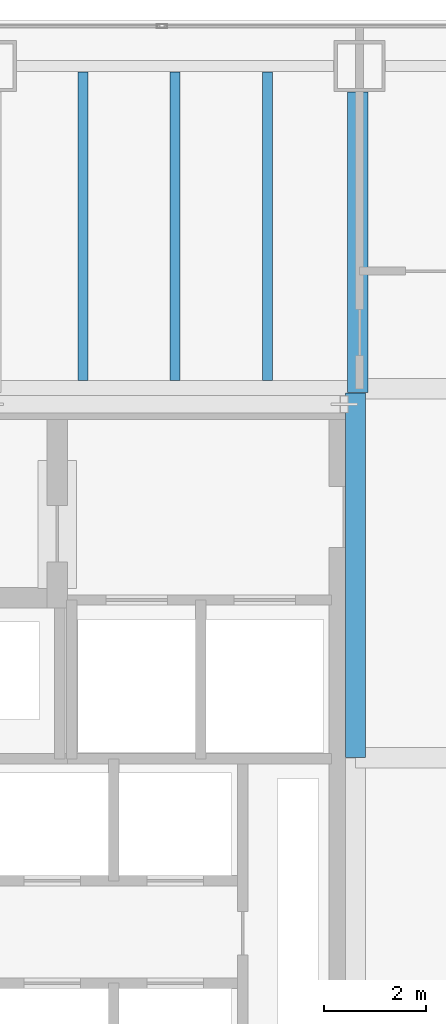
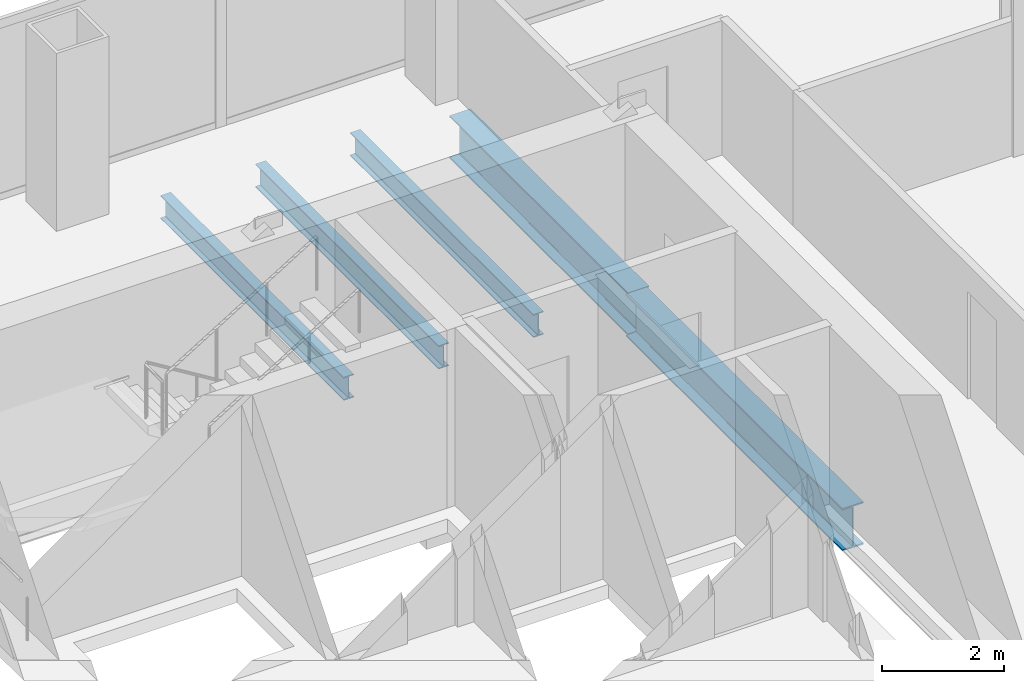
# One storey, part 15 of 25: 5 beams.
"""IFC4 building model written with IfcOpenShell, lengths in metres."""

from ifc_helpers import new_model, si_unit, direction, frame, origin, origin_2d, place, context, subcontext, project, spatial, i_section, extrude, material, material_profile, profile_set, type_object, element, save


model = new_model("IFC4")

# Units and contexts
model_context = context("Model", 3, precision=1e-05, world=origin(), true_north=direction((0.0, 1.0)))
body_context = subcontext(model_context, "Body", "Model", "MODEL_VIEW")
ifc_project = project(units=[si_unit("LENGTHUNIT", "METRE"), si_unit("AREAUNIT", "SQUARE_METRE"), si_unit("VOLUMEUNIT", "CUBIC_METRE"), si_unit("PLANEANGLEUNIT", "RADIAN"), si_unit("MASSUNIT", "GRAM", prefix="KILO")], contexts=[model_context])

# Site, building, storey
site_placement = place(None, origin())
site = spatial("IfcSite", under=ifc_project, at=site_placement, CompositionType="ELEMENT")
building_placement = place(site_placement, origin())
building = spatial("IfcBuilding", under=site, at=building_placement, Name="Cobrela Telecom Tower", CompositionType="ELEMENT")
storey_placement = place(building_placement, frame((0.0, 0.0, 61.949951171875)))
storey = spatial("IfcBuildingStorey", under=building, at=storey_placement, Name="L15", CompositionType="ELEMENT", Elevation=61.949951171875)

# Beams
ifc_material = material(Name="Steel ASTM A992 Grade 50", Category="steel")
ifc_material_profile_1 = material_profile(ifc_material, i_section(OverallWidth=0.39892578125, OverallDepth=0.85595703125, WebThickness=0.018310546875, FlangeThickness=0.029296875, FilletRadius=0.02001953125, at=origin_2d()), Name="W33X201")
ifc_profile_set_1 = profile_set([ifc_material_profile_1], Name="Steel ASTM A992 Grade 50")
beam_type_1 = type_object("IfcBeamType", Name="BM-GIRD-03", PredefinedType="USERDEFINED", material=ifc_profile_set_1)
beam_1_placement = place(storey_placement, frame((14.320068359375, 28.804931640625, -0.7080078125), z_axis=(0.0, 1.0, 0.0), x_axis=(-1.0, 0.0, 0.0)))
element("IfcBeam", 1, at=beam_1_placement, inside=storey, type_object=beam_type_1, Name="L15 Primary Girder Y38", ObjectType="GIRDER", PredefinedType="USERDEFINED", context=body_context, shape_type="SweptSolid", body=[
    extrude(i_section(OverallWidth=0.39892578125, OverallDepth=0.85595703125, WebThickness=0.018310546875, FlangeThickness=0.029296875, FilletRadius=0.02001953125, at=origin_2d()), origin(), (0.0, 0.0, 1.0), 7.110107421875),
])
beam_2_placement = place(storey_placement, frame((14.360107421875, 35.925048828125, -0.7080078125), z_axis=(0.0, 1.0, 0.0), x_axis=(-1.0, 0.0, 0.0)))
element("IfcBeam", 2, at=beam_2_placement, inside=storey, type_object=beam_type_1, Name="L15 Primary Girder Y39", ObjectType="GIRDER", PredefinedType="USERDEFINED", context=body_context, shape_type="SweptSolid", body=[
    extrude(i_section(OverallWidth=0.39892578125, OverallDepth=0.85595703125, WebThickness=0.018310546875, FlangeThickness=0.029296875, FilletRadius=0.02001953125, at=origin_2d()), origin(), (0.0, 0.0, 1.0), 5.869873046875),
])
ifc_material_profile_2 = material_profile(ifc_material, i_section(OverallWidth=0.193115234375, OverallDepth=0.467041015625, WebThickness=0.011474609375, FlangeThickness=0.01904296875, FilletRadius=0.012939453125, at=origin_2d()), Name="W18X65")
ifc_profile_set_2 = profile_set([ifc_material_profile_2], Name="Steel ASTM A992 Grade 50")
beam_type_2 = type_object("IfcBeamType", Name="BM-JOIST-03", PredefinedType="JOIST", material=ifc_profile_set_2)
for number, where, z_axis, x_axis, name in (
    (3, (9.0, 36.16455078125, -0.513427734375), (0.0, 1.0, 0.0), (-1.0, 0.0, 0.0), "L15 Secondary Composite Floor Beam J02"),
    (4, (10.800048828125, 36.16455078125, -0.513427734375), (0.0, 1.0, 0.0), (-1.0, 0.0, 0.0), "L15 Secondary Composite Floor Beam J04"),
    (5, (12.60009765625, 36.16455078125, -0.513427734375), (0.0, 1.0, 0.0), (-1.0, 0.0, 0.0), "L15 Secondary Composite Floor Beam J06"),
):
    element("IfcBeam", number, at=place(storey_placement, frame(where, z_axis=z_axis, x_axis=x_axis)), inside=storey, type_object=beam_type_2, Name=name, PredefinedType="JOIST", context=body_context, shape_type="SweptSolid", body=[
        extrude(i_section(OverallWidth=0.193115234375, OverallDepth=0.467041015625, WebThickness=0.011474609375, FlangeThickness=0.01904296875, FilletRadius=0.012939453125, at=origin_2d()), origin(), (0.0, 0.0, 1.0), 6.02392578125),
    ])

save(model, "model.ifc")
